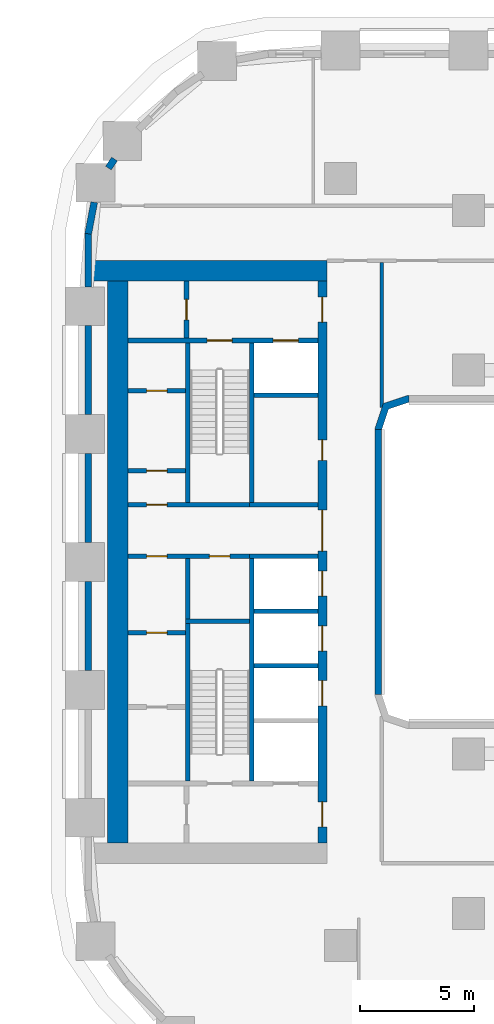
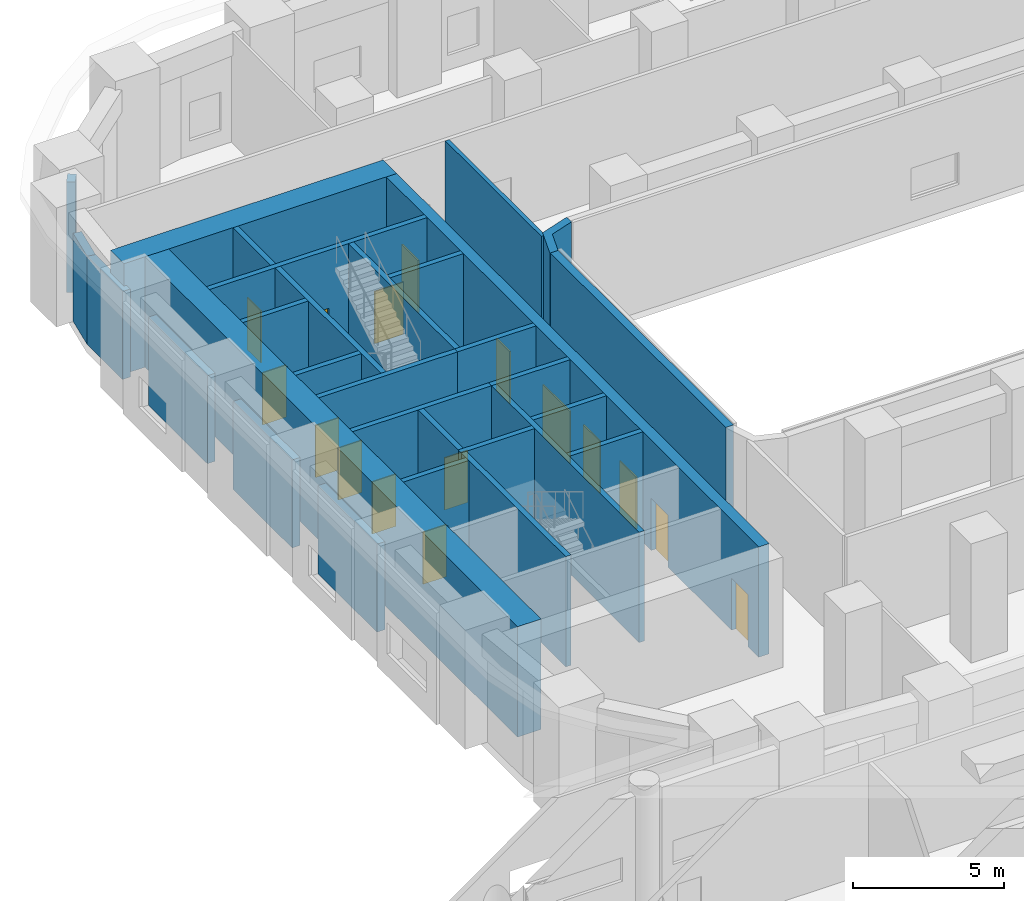
# One storey, part 5 of 13: 30 walls, 16 doors, 16 openings.
"""IFC4 building model written with IfcOpenShell, lengths in metres."""

from ifc_helpers import new_model, si_unit, direction, frame, frame_2d, origin, place, context, subcontext, project, spatial, polyline, rectangle, outline, extrude, material, layer, layer_set, type_object, element, fill, save


model = new_model("IFC4")

# Units and contexts
model_context = context("Model", 3, precision=1e-05, world=origin(), true_north=direction((0.0, 1.0)))
body_context = subcontext(model_context, "Body", "Model", "MODEL_VIEW")
ifc_project = project(units=[si_unit("LENGTHUNIT", "METRE"), si_unit("AREAUNIT", "SQUARE_METRE"), si_unit("VOLUMEUNIT", "CUBIC_METRE"), si_unit("PLANEANGLEUNIT", "RADIAN"), si_unit("MASSUNIT", "GRAM", prefix="KILO")], contexts=[model_context])

# Site, building, storey
site_placement = place(None, origin())
site = spatial("IfcSite", under=ifc_project, at=site_placement, CompositionType="ELEMENT")
building_placement = place(site_placement, origin())
building = spatial("IfcBuilding", under=site, at=building_placement, Name="Kiln Ring Residences", CompositionType="ELEMENT")
storey_placement = place(building_placement, frame((0.0, 0.0, 25.699951171875)))
storey = spatial("IfcBuildingStorey", under=building, at=storey_placement, Name="L05", CompositionType="ELEMENT", Elevation=25.699951171875)

# Wall
ifc_material_1 = material(Name="Gypsum board on steel studs", Category="steel")
ifc_layer_1 = layer(ifc_material_1, 0.199951171875)
ifc_layer_set_1 = layer_set([ifc_layer_1], Name="CORE-PARTITION-200")
wall_type_1 = type_object("IfcWallType", Name="CORE-PARTITION-200", PredefinedType="PARTITIONING", material=ifc_layer_set_1)
wall_1_placement = place(storey_placement, frame((-23.5, -2.5, 0.0), z_axis=(0.0, 0.0, 1.0), x_axis=(0.0, 1.0, 0.0)))
element("IfcWall", 1, at=wall_1_placement, inside=storey, type_object=wall_type_1, Name="Core partition west L05 1", PredefinedType="PARTITIONING", context=body_context, shape_type="SweptSolid", body=[
    extrude(rectangle(XDim=2.64990234375, YDim=0.199951171875, at=frame_2d((1.324951171875, 0.0))), origin(), (0.0, 0.0, 1.0), 4.449951171875),
])

# Wall, openings, doors
wall_2_placement = place(storey_placement, frame((-20.800048828125, 0.25, 0.0), z_axis=(0.0, 0.0, 1.0), x_axis=(-1.0, 0.0, 0.0)))
wall_2 = element("IfcWall", 2, at=wall_2_placement, inside=storey, type_object=wall_type_1, Name="Core partition west L05 2", PredefinedType="PARTITIONING", context=body_context, shape_type="SweptSolid", body=[
    extrude(rectangle(XDim=5.300048828125, YDim=0.199951171875, at=frame_2d((2.64990234375, 0.0))), origin(), (0.0, 0.0, 1.0), 4.449951171875),
])
opening_1_placement = place(wall_2_placement, frame((0.85009765625, 0.0, 0.0)))
opening_1 = element("IfcOpeningElement", 3, at=opening_1_placement, cuts=wall_2, Name="Opening L05-CW14", PredefinedType="OPENING", context=body_context, shape_type="SweptSolid", body=[
    extrude(rectangle(XDim=0.89990234375, YDim=2.10009765625, at=frame_2d((0.449951171875, 1.050048828125))), frame((0.0, 0.10986328125, 0.0), z_axis=(0.0, -1.0, 0.0), x_axis=(1.0, 0.0, 0.0)), (0.0, 0.0, 1.0), 0.219970703125),
])
opening_2_placement = place(wall_2_placement, frame((3.60009765625, 0.0, 0.0)))
opening_2 = element("IfcOpeningElement", 4, at=opening_2_placement, cuts=wall_2, Name="Opening L05-CW17", PredefinedType="OPENING", context=body_context, shape_type="SweptSolid", body=[
    extrude(rectangle(XDim=0.89990234375, YDim=2.10009765625, at=frame_2d((0.449951171875, 1.050048828125))), frame((0.0, 0.10986328125, 0.0), z_axis=(0.0, -1.0, 0.0), x_axis=(1.0, 0.0, 0.0)), (0.0, 0.0, 1.0), 0.219970703125),
])
ifc_material_2 = material(Name="Steel door leaf", Category="steel")
door_type_1 = type_object("IfcDoorType", Name="CORE-DOOR-ROOM", OperationType="SINGLE_SWING_LEFT", PredefinedType="DOOR", material=ifc_material_2)
door_1_placement = place(opening_1_placement, origin())
door_1 = element("IfcDoor", 5, at=door_1_placement, inside=storey, type_object=door_type_1, Name="Electrical riser room L05-CW14", OperationType="SINGLE_SWING_RIGHT", OverallHeight=2.10009765625, OverallWidth=0.89990234375, PredefinedType="DOOR", context=body_context, shape_type="SweptSolid", body=[
    extrude(rectangle(XDim=0.89990234375, YDim=2.10009765625, at=frame_2d((0.449951171875, 1.050048828125))), frame((0.0, 0.02490234375, 0.0), z_axis=(0.0, -1.0, 0.0), x_axis=(1.0, 0.0, 0.0)), (0.0, 0.0, 1.0), 0.050048828125),
])
fill(opening_1, door_1)
door_2_placement = place(opening_2_placement, origin())
door_2 = element("IfcDoor", 6, at=door_2_placement, inside=storey, type_object=door_type_1, Name="Plant room L05-CW17", OperationType="SINGLE_SWING_LEFT", OverallHeight=2.10009765625, OverallWidth=0.89990234375, PredefinedType="DOOR", context=body_context, shape_type="SweptSolid", body=[
    extrude(rectangle(XDim=0.89990234375, YDim=2.10009765625, at=frame_2d((0.449951171875, 1.050048828125))), frame((0.0, 0.02490234375, 0.0), z_axis=(0.0, -1.0, 0.0), x_axis=(1.0, 0.0, 0.0)), (0.0, 0.0, 1.0), 0.050048828125),
])
fill(opening_2, door_2)

# Wall, opening, door
wall_3_placement = place(storey_placement, frame((-23.550048828125, 9.800048828125, 0.0), z_axis=(0.0, 0.0, 1.0), x_axis=(0.0, 1.0, 0.0)))
wall_3 = element("IfcWall", 7, at=wall_3_placement, inside=storey, type_object=wall_type_1, Name="Core partition west L05 3", PredefinedType="PARTITIONING", context=body_context, shape_type="SweptSolid", body=[
    extrude(rectangle(XDim=2.5, YDim=0.199951171875, at=frame_2d((1.25, 0.0))), origin(), (0.0, 0.0, 1.0), 4.449951171875),
])
opening_3_placement = place(wall_3_placement, frame((0.800048828125, 0.0, 0.0)))
opening_3 = element("IfcOpeningElement", 8, at=opening_3_placement, cuts=wall_3, Name="Opening L05-CW09", PredefinedType="OPENING", context=body_context, shape_type="SweptSolid", body=[
    extrude(rectangle(XDim=0.89990234375, YDim=2.10009765625, at=frame_2d((0.449951171875, 1.050048828125))), frame((0.0, 0.10986328125, 0.0), z_axis=(0.0, -1.0, 0.0), x_axis=(1.0, 0.0, 0.0)), (0.0, 0.0, 1.0), 0.219970703125),
])
door_3_placement = place(opening_3_placement, origin())
door_3 = element("IfcDoor", 9, at=door_3_placement, inside=storey, type_object=door_type_1, Name="Fire riser room L05-CW09", OperationType="SINGLE_SWING_LEFT", OverallHeight=2.10009765625, OverallWidth=0.89990234375, PredefinedType="DOOR", context=body_context, shape_type="SweptSolid", body=[
    extrude(rectangle(XDim=0.89990234375, YDim=2.10009765625, at=frame_2d((0.449951171875, 1.050048828125))), frame((0.0, 0.02490234375, 0.0), z_axis=(0.0, -1.0, 0.0), x_axis=(1.0, 0.0, 0.0)), (0.0, 0.0, 1.0), 0.050048828125),
])
fill(opening_3, door_3)

wall_4_placement = place(storey_placement, frame((-23.60009765625, -3.10009765625, 0.0), z_axis=(0.0, 0.0, 1.0), x_axis=(-1.0, 0.0, 0.0)))
wall_4 = element("IfcWall", 10, at=wall_4_placement, inside=storey, type_object=wall_type_1, Name="Core partition west L05 6", PredefinedType="PARTITIONING", context=body_context, shape_type="SweptSolid", body=[
    extrude(rectangle(XDim=2.5, YDim=0.199951171875, at=frame_2d((1.25, 0.0))), origin(), (0.0, 0.0, 1.0), 4.449951171875),
])
opening_4_placement = place(wall_4_placement, frame((0.800048828125, 0.0, 0.0)))
opening_4 = element("IfcOpeningElement", 11, at=opening_4_placement, cuts=wall_4, Name="Opening L05-CW16", PredefinedType="OPENING", context=body_context, shape_type="SweptSolid", body=[
    extrude(rectangle(XDim=0.89990234375, YDim=2.10009765625, at=frame_2d((0.449951171875, 1.050048828125))), frame((0.0, 0.10986328125, 0.0), z_axis=(0.0, -1.0, 0.0), x_axis=(1.0, 0.0, 0.0)), (0.0, 0.0, 1.0), 0.219970703125),
])
door_4_placement = place(opening_4_placement, origin())
door_4 = element("IfcDoor", 12, at=door_4_placement, inside=storey, type_object=door_type_1, Name="Plant room L05-CW16", OperationType="SINGLE_SWING_LEFT", OverallHeight=2.10009765625, OverallWidth=0.89990234375, PredefinedType="DOOR", context=body_context, shape_type="SweptSolid", body=[
    extrude(rectangle(XDim=0.89990234375, YDim=2.10009765625, at=frame_2d((0.449951171875, 1.050048828125))), frame((0.0, 0.02490234375, 0.0), z_axis=(0.0, -1.0, 0.0), x_axis=(1.0, 0.0, 0.0)), (0.0, 0.0, 1.0), 0.050048828125),
])
fill(opening_4, door_4)

wall_5_placement = place(storey_placement, frame((-23.60009765625, 4.0, 0.0), z_axis=(0.0, 0.0, 1.0), x_axis=(-1.0, 0.0, 0.0)))
wall_5 = element("IfcWall", 13, at=wall_5_placement, inside=storey, type_object=wall_type_1, Name="Core partition west L05 7", PredefinedType="PARTITIONING", context=body_context, shape_type="SweptSolid", body=[
    extrude(rectangle(XDim=2.5, YDim=0.199951171875, at=frame_2d((1.25, 0.0))), origin(), (0.0, 0.0, 1.0), 4.449951171875),
])
opening_5_placement = place(wall_5_placement, frame((0.800048828125, 0.0, 0.0)))
opening_5 = element("IfcOpeningElement", 14, at=opening_5_placement, cuts=wall_5, Name="Opening L05-CW18", PredefinedType="OPENING", context=body_context, shape_type="SweptSolid", body=[
    extrude(rectangle(XDim=0.89990234375, YDim=2.10009765625, at=frame_2d((0.449951171875, 1.050048828125))), frame((0.0, 0.10986328125, 0.0), z_axis=(0.0, -1.0, 0.0), x_axis=(1.0, 0.0, 0.0)), (0.0, 0.0, 1.0), 0.219970703125),
])
door_5_placement = place(opening_5_placement, origin())
door_5 = element("IfcDoor", 15, at=door_5_placement, inside=storey, type_object=door_type_1, Name="Electrical plant room L05-CW18", OperationType="SINGLE_SWING_LEFT", OverallHeight=2.10009765625, OverallWidth=0.89990234375, PredefinedType="DOOR", context=body_context, shape_type="SweptSolid", body=[
    extrude(rectangle(XDim=0.89990234375, YDim=2.10009765625, at=frame_2d((0.449951171875, 1.050048828125))), frame((0.0, 0.02490234375, 0.0), z_axis=(0.0, -1.0, 0.0), x_axis=(1.0, 0.0, 0.0)), (0.0, 0.0, 1.0), 0.050048828125),
])
fill(opening_5, door_5)

wall_6_placement = place(storey_placement, frame((-23.60009765625, 7.5, 0.0), z_axis=(0.0, 0.0, 1.0), x_axis=(-1.0, 0.0, 0.0)))
wall_6 = element("IfcWall", 16, at=wall_6_placement, inside=storey, type_object=wall_type_1, Name="Core partition west L05 8", PredefinedType="PARTITIONING", context=body_context, shape_type="SweptSolid", body=[
    extrude(rectangle(XDim=2.5, YDim=0.199951171875, at=frame_2d((1.25, 0.0))), origin(), (0.0, 0.0, 1.0), 4.449951171875),
])
opening_6_placement = place(wall_6_placement, frame((0.800048828125, 0.0, 0.0)))
opening_6 = element("IfcOpeningElement", 17, at=opening_6_placement, cuts=wall_6, Name="Opening L05-CW19", PredefinedType="OPENING", context=body_context, shape_type="SweptSolid", body=[
    extrude(rectangle(XDim=0.89990234375, YDim=2.10009765625, at=frame_2d((0.449951171875, 1.050048828125))), frame((0.0, 0.10986328125, 0.0), z_axis=(0.0, -1.0, 0.0), x_axis=(1.0, 0.0, 0.0)), (0.0, 0.0, 1.0), 0.219970703125),
])
door_6_placement = place(opening_6_placement, origin())
door_6 = element("IfcDoor", 18, at=door_6_placement, inside=storey, type_object=door_type_1, Name="UPS room L05-CW19", OperationType="SINGLE_SWING_RIGHT", OverallHeight=2.10009765625, OverallWidth=0.89990234375, PredefinedType="DOOR", context=body_context, shape_type="SweptSolid", body=[
    extrude(rectangle(XDim=0.89990234375, YDim=2.10009765625, at=frame_2d((0.449951171875, 1.050048828125))), frame((0.0, 0.02490234375, 0.0), z_axis=(0.0, -1.0, 0.0), x_axis=(1.0, 0.0, 0.0)), (0.0, 0.0, 1.0), 0.050048828125),
])
fill(opening_6, door_6)

# Walls
ifc_material_3 = material(Name="Gypsum shaft wall system")
ifc_layer_2 = layer(ifc_material_3, 0.199951171875)
ifc_layer_set_2 = layer_set([ifc_layer_2], Name="CORE-SHAFT-WALL-200")
wall_type_2 = type_object("IfcWallType", Name="CORE-SHAFT-WALL-200", PredefinedType="PARTITIONING", material=ifc_layer_set_2)
for number, where, z_axis, x_axis, name in (
    (19, (-17.800048828125, -4.550048828125, 0.0), (0.0, 0.0, 1.0), (-1.0, 0.0, 0.0), "Core partition west L05 10"),
    (20, (-17.800048828125, -2.14990234375, 0.0), (0.0, 0.0, 1.0), (-1.0, 0.0, 0.0), "Core partition west L05 11"),
):
    element("IfcWall", number, at=place(storey_placement, frame(where, z_axis=z_axis, x_axis=x_axis)), inside=storey, type_object=wall_type_2, Name=name, PredefinedType="PARTITIONING", context=body_context, shape_type="SweptSolid", body=[
        extrude(rectangle(XDim=2.800048828125, YDim=0.199951171875, at=frame_2d((1.39990234375, 0.0))), origin(), (0.0, 0.0, 1.0), 4.449951171875),
    ])
for number, where, z_axis, x_axis, name in (
    (21, (-17.800048828125, 0.25, 0.0), (0.0, 0.0, 1.0), (-1.0, 0.0, 0.0), "Core partition west L05 12"),
    (22, (-17.800048828125, 2.5, 0.0), (0.0, 0.0, 1.0), (-1.0, 0.0, 0.0), "Core partition west L05 13"),
):
    element("IfcWall", number, at=place(storey_placement, frame(where, z_axis=z_axis, x_axis=x_axis)), inside=storey, type_object=wall_type_2, Name=name, PredefinedType="PARTITIONING", context=body_context, shape_type="SweptSolid", body=[
        extrude(rectangle(XDim=3.0, YDim=0.199951171875, at=frame_2d((1.5, 0.0))), origin(), (0.0, 0.0, 1.0), 4.449951171875),
    ])
wall_7_placement = place(storey_placement, frame((-17.800048828125, 7.300048828125, 0.0), z_axis=(0.0, 0.0, 1.0), x_axis=(-1.0, 0.0, 0.0)))
element("IfcWall", 23, at=wall_7_placement, inside=storey, type_object=wall_type_2, Name="Core partition west L05 14", PredefinedType="PARTITIONING", context=body_context, shape_type="SweptSolid", body=[
    extrude(rectangle(XDim=2.800048828125, YDim=0.199951171875, at=frame_2d((1.39990234375, 0.0))), origin(), (0.0, 0.0, 1.0), 4.449951171875),
])
ifc_material_4 = material(Name="Concrete C40/50", Category="concrete")
ifc_layer_3 = layer(ifc_material_4, 0.199951171875)
ifc_layer_set_3 = layer_set([ifc_layer_3], Name="CORE-WALL-RC200")
wall_type_3 = type_object("IfcWallType", Name="CORE-WALL-RC200", PredefinedType="SHEAR", material=ifc_layer_set_3)
wall_8_placement = place(storey_placement, frame((-20.699951171875, 2.60009765625, 0.0), z_axis=(0.0, 0.0, 1.0), x_axis=(0.0, 1.0, 0.0)))
element("IfcWall", 24, at=wall_8_placement, inside=storey, type_object=wall_type_3, Name="Core wall west L05 1", PredefinedType="SHEAR", context=body_context, shape_type="SweptSolid", body=[
    extrude(rectangle(XDim=7.0, YDim=0.199951171875, at=frame_2d((3.5, 0.0))), origin(), (0.0, 0.0, 1.0), 4.449951171875),
])
wall_9_placement = place(storey_placement, frame((-20.699951171875, -9.60009765625, 0.0), z_axis=(0.0, 0.0, 1.0), x_axis=(0.0, 1.0, 0.0)))
element("IfcWall", 25, at=wall_9_placement, inside=storey, type_object=wall_type_3, Name="Core wall west L05 2", PredefinedType="SHEAR", context=body_context, shape_type="SweptSolid", body=[
    extrude(rectangle(XDim=9.75, YDim=0.199951171875, at=frame_2d((4.875, 0.0))), origin(), (0.0, 0.0, 1.0), 4.449951171875),
])

# Wall, opening, door
wall_10_placement = place(storey_placement, frame((-20.800048828125, 2.5, 0.0), z_axis=(0.0, 0.0, 1.0), x_axis=(-1.0, 0.0, 0.0)))
wall_10 = element("IfcWall", 26, at=wall_10_placement, inside=storey, type_object=wall_type_3, Name="Core wall west L05 3", PredefinedType="SHEAR", context=body_context, shape_type="SweptSolid", body=[
    extrude(rectangle(XDim=5.300048828125, YDim=0.199951171875, at=frame_2d((2.64990234375, 0.0))), origin(), (0.0, 0.0, 1.0), 4.449951171875),
])
opening_7_placement = place(wall_10_placement, frame((3.60009765625, 0.0, 0.0)))
opening_7 = element("IfcOpeningElement", 27, at=opening_7_placement, cuts=wall_10, Name="Opening L05-CW20", PredefinedType="OPENING", context=body_context, shape_type="SweptSolid", body=[
    extrude(rectangle(XDim=0.89990234375, YDim=2.10009765625, at=frame_2d((0.449951171875, 1.050048828125))), frame((0.0, 0.10986328125, 0.0), z_axis=(0.0, -1.0, 0.0), x_axis=(1.0, 0.0, 0.0)), (0.0, 0.0, 1.0), 0.219970703125),
])
door_7_placement = place(opening_7_placement, origin())
door_7 = element("IfcDoor", 28, at=door_7_placement, inside=storey, type_object=door_type_1, Name="Comms room L05-CW20", OperationType="SINGLE_SWING_LEFT", OverallHeight=2.10009765625, OverallWidth=0.89990234375, PredefinedType="DOOR", context=body_context, shape_type="SweptSolid", body=[
    extrude(rectangle(XDim=0.89990234375, YDim=2.10009765625, at=frame_2d((0.449951171875, 1.050048828125))), frame((0.0, 0.02490234375, 0.0), z_axis=(0.0, -1.0, 0.0), x_axis=(1.0, 0.0, 0.0)), (0.0, 0.0, 1.0), 0.050048828125),
])
fill(opening_7, door_7)

# Wall, openings, doors
wall_11_placement = place(storey_placement, frame((-17.800048828125, 9.699951171875, 0.0), z_axis=(0.0, 0.0, 1.0), x_axis=(-1.0, 0.0, 0.0)))
wall_11 = element("IfcWall", 29, at=wall_11_placement, inside=storey, type_object=wall_type_3, Name="Core wall west L05 9", PredefinedType="SHEAR", context=body_context, shape_type="SweptSolid", body=[
    extrude(rectangle(XDim=8.300048828125, YDim=0.199951171875, at=frame_2d((4.14990234375, 0.0))), origin(), (0.0, 0.0, 1.0), 4.449951171875),
])
opening_8_placement = place(wall_11_placement, frame((0.85009765625, 0.0, 0.0)))
opening_8 = element("IfcOpeningElement", 30, at=opening_8_placement, cuts=wall_11, Name="Opening L05-CW06", PredefinedType="OPENING", context=body_context, shape_type="SweptSolid", body=[
    extrude(rectangle(XDim=1.10009765625, YDim=2.10009765625, at=frame_2d((0.550048828125, 1.050048828125))), frame((0.0, 0.10986328125, 0.0), z_axis=(0.0, -1.0, 0.0), x_axis=(1.0, 0.0, 0.0)), (0.0, 0.0, 1.0), 0.219970703125),
])
opening_9_placement = place(wall_11_placement, frame((3.75, 0.0, 0.0)))
opening_9 = element("IfcOpeningElement", 31, at=opening_9_placement, cuts=wall_11, Name="Opening L05-CW11", PredefinedType="OPENING", context=body_context, shape_type="SweptSolid", body=[
    extrude(rectangle(XDim=1.10009765625, YDim=2.10009765625, at=frame_2d((0.550048828125, 1.050048828125))), frame((0.0, 0.10986328125, 0.0), z_axis=(0.0, -1.0, 0.0), x_axis=(1.0, 0.0, 0.0)), (0.0, 0.0, 1.0), 0.219970703125),
])
ifc_material_5 = material(Name="Steel door leaf", Category="steel")
door_type_2 = type_object("IfcDoorType", Name="CORE-DOOR-LD", OperationType="DOUBLE_DOOR_SLIDING", PredefinedType="DOOR", material=ifc_material_5)
door_8_placement = place(opening_8_placement, origin())
door_8 = element("IfcDoor", 32, at=door_8_placement, inside=storey, type_object=door_type_2, Name="LD W-FF L05-CW06", OperationType="DOUBLE_DOOR_SLIDING", OverallHeight=2.10009765625, OverallWidth=1.10009765625, PredefinedType="DOOR", context=body_context, shape_type="SweptSolid", body=[
    extrude(rectangle(XDim=1.10009765625, YDim=2.10009765625, at=frame_2d((0.550048828125, 1.050048828125))), frame((0.0, 0.02490234375, 0.0), z_axis=(0.0, -1.0, 0.0), x_axis=(1.0, 0.0, 0.0)), (0.0, 0.0, 1.0), 0.050048828125),
])
fill(opening_8, door_8)
ifc_material_6 = material(Name="Steel door leaf", Category="steel")
door_type_3 = type_object("IfcDoorType", Name="CORE-DOOR-STAIR", OperationType="SINGLE_SWING_LEFT", PredefinedType="DOOR", material=ifc_material_6)
door_9_placement = place(opening_9_placement, origin())
door_9 = element("IfcDoor", 33, at=door_9_placement, inside=storey, type_object=door_type_3, Name="Stair W-STN L05-CW11", OperationType="SINGLE_SWING_LEFT", OverallHeight=2.10009765625, OverallWidth=1.10009765625, PredefinedType="DOOR", context=body_context, shape_type="SweptSolid", body=[
    extrude(rectangle(XDim=1.10009765625, YDim=2.10009765625, at=frame_2d((0.550048828125, 1.050048828125))), frame((0.0, 0.02490234375, 0.0), z_axis=(0.0, -1.0, 0.0), x_axis=(1.0, 0.0, 0.0)), (0.0, 0.0, 1.0), 0.050048828125),
])
fill(opening_9, door_9)

# Walls
wall_12_placement = place(storey_placement, frame((-23.5, 2.60009765625, 0.0), z_axis=(0.0, 0.0, 1.0), x_axis=(0.0, 1.0, 0.0)))
element("IfcWall", 34, at=wall_12_placement, inside=storey, type_object=wall_type_3, Name="Core wall west L05 10", PredefinedType="SHEAR", context=body_context, shape_type="SweptSolid", body=[
    extrude(rectangle(XDim=7.0, YDim=0.199951171875, at=frame_2d((3.5, 0.0))), origin(), (0.0, 0.0, 1.0), 4.449951171875),
])
wall_13_placement = place(storey_placement, frame((-23.5, -9.60009765625, 0.0), z_axis=(0.0, 0.0, 1.0), x_axis=(0.0, 1.0, 0.0)))
element("IfcWall", 35, at=wall_13_placement, inside=storey, type_object=wall_type_3, Name="Core wall west L05 11", PredefinedType="SHEAR", context=body_context, shape_type="SweptSolid", body=[
    extrude(rectangle(XDim=6.900146484375, YDim=0.199951171875, at=frame_2d((3.4501953125, 0.0))), origin(), (0.0, 0.0, 1.0), 4.449951171875),
])
wall_14_placement = place(storey_placement, frame((-20.800048828125, -2.60009765625, 0.0), z_axis=(0.0, 0.0, 1.0), x_axis=(-1.0, 0.0, 0.0)))
element("IfcWall", 36, at=wall_14_placement, inside=storey, type_object=wall_type_3, Name="Core wall west L05 12", PredefinedType="SHEAR", context=body_context, shape_type="SweptSolid", body=[
    extrude(rectangle(XDim=2.800048828125, YDim=0.199951171875, at=frame_2d((1.39990234375, 0.0))), origin(), (0.0, 0.0, 1.0), 4.449951171875),
])

# Wall, openings, doors
ifc_material_7 = material(Name="Concrete C60/75", Category="concrete")
ifc_layer_4 = layer(ifc_material_7, 0.39990234375)
ifc_layer_set_4 = layer_set([ifc_layer_4], Name="CORE-WALL-RC400")
wall_type_4 = type_object("IfcWallType", Name="CORE-WALL-RC400", PredefinedType="SHEAR", material=ifc_layer_set_4)
wall_15_placement = place(storey_placement, frame((-17.60009765625, -12.300048828125, 0.0), z_axis=(0.0, 0.0, 1.0), x_axis=(0.0, 1.0, 0.0)))
wall_15 = element("IfcWall", 37, at=wall_15_placement, inside=storey, type_object=wall_type_4, Name="Core wall west L05 6", PredefinedType="SHEAR", context=body_context, shape_type="SweptSolid", body=[
    extrude(rectangle(XDim=24.60009765625, YDim=0.39990234375, at=frame_2d((12.300048828125, 0.0))), origin(), (0.0, 0.0, 1.0), 4.449951171875),
])
opening_10_placement = place(wall_15_placement, frame((6.0, 0.0, 0.0)))
opening_10 = element("IfcOpeningElement", 38, at=opening_10_placement, cuts=wall_15, Name="Opening L05-CW02", PredefinedType="OPENING", context=body_context, shape_type="SweptSolid", body=[
    extrude(rectangle(XDim=1.10009765625, YDim=2.10009765625, at=frame_2d((0.550048828125, 1.050048828125))), frame((0.0, 0.2099609375, 0.0), z_axis=(0.0, -1.0, 0.0), x_axis=(1.0, 0.0, 0.0)), (0.0, 0.0, 1.0), 0.419921875),
])
opening_11_placement = place(wall_15_placement, frame((8.39990234375, 0.0, 0.0)))
opening_11 = element("IfcOpeningElement", 39, at=opening_11_placement, cuts=wall_15, Name="Opening L05-CW03", PredefinedType="OPENING", context=body_context, shape_type="SweptSolid", body=[
    extrude(rectangle(XDim=1.10009765625, YDim=2.10009765625, at=frame_2d((0.550048828125, 1.050048828125))), frame((0.0, 0.2099609375, 0.0), z_axis=(0.0, -1.0, 0.0), x_axis=(1.0, 0.0, 0.0)), (0.0, 0.0, 1.0), 0.419921875),
])
opening_12_placement = place(wall_15_placement, frame((10.800048828125, 0.0, 0.0)))
opening_12 = element("IfcOpeningElement", 40, at=opening_12_placement, cuts=wall_15, Name="Opening L05-CW04", PredefinedType="OPENING", context=body_context, shape_type="SweptSolid", body=[
    extrude(rectangle(XDim=1.10009765625, YDim=2.10009765625, at=frame_2d((0.550048828125, 1.050048828125))), frame((0.0, 0.2099609375, 0.0), z_axis=(0.0, -1.0, 0.0), x_axis=(1.0, 0.0, 0.0)), (0.0, 0.0, 1.0), 0.419921875),
])
opening_13_placement = place(wall_15_placement, frame((16.75, 0.0, 0.0)))
opening_13 = element("IfcOpeningElement", 41, at=opening_13_placement, cuts=wall_15, Name="Opening L05-CW05", PredefinedType="OPENING", context=body_context, shape_type="SweptSolid", body=[
    extrude(rectangle(XDim=0.89990234375, YDim=2.10009765625, at=frame_2d((0.449951171875, 1.050048828125))), frame((0.0, 0.2099609375, 0.0), z_axis=(0.0, -1.0, 0.0), x_axis=(1.0, 0.0, 0.0)), (0.0, 0.0, 1.0), 0.419921875),
])
opening_14_placement = place(wall_15_placement, frame((22.800048828125, 0.0, 0.0)))
opening_14 = element("IfcOpeningElement", 42, at=opening_14_placement, cuts=wall_15, Name="Opening L05-CW07", PredefinedType="OPENING", context=body_context, shape_type="SweptSolid", body=[
    extrude(rectangle(XDim=1.10009765625, YDim=2.10009765625, at=frame_2d((0.550048828125, 1.050048828125))), frame((0.0, 0.2099609375, 0.0), z_axis=(0.0, -1.0, 0.0), x_axis=(1.0, 0.0, 0.0)), (0.0, 0.0, 1.0), 0.419921875),
])
opening_15_placement = place(wall_15_placement, frame((0.699951171875, 0.0, 0.0)))
opening_15 = element("IfcOpeningElement", 43, at=opening_15_placement, cuts=wall_15, Name="Opening L05-CW08", PredefinedType="OPENING", context=body_context, shape_type="SweptSolid", body=[
    extrude(rectangle(XDim=1.10009765625, YDim=2.10009765625, at=frame_2d((0.550048828125, 1.050048828125))), frame((0.0, 0.2099609375, 0.0), z_axis=(0.0, -1.0, 0.0), x_axis=(1.0, 0.0, 0.0)), (0.0, 0.0, 1.0), 0.419921875),
])
opening_16_placement = place(wall_15_placement, frame((12.77490234375, 0.0, 0.0)))
opening_16 = element("IfcOpeningElement", 44, at=opening_16_placement, cuts=wall_15, Name="Opening L05-CW13", PredefinedType="OPENING", context=body_context, shape_type="SweptSolid", body=[
    extrude(rectangle(XDim=1.800048828125, YDim=2.10009765625, at=frame_2d((0.89990234375, 1.050048828125))), frame((0.0, 0.2099609375, 0.0), z_axis=(0.0, -1.0, 0.0), x_axis=(1.0, 0.0, 0.0)), (0.0, 0.0, 1.0), 0.419921875),
])
door_10_placement = place(opening_10_placement, origin())
door_10 = element("IfcDoor", 45, at=door_10_placement, inside=storey, type_object=door_type_2, Name="LD W-L1 L05-CW02", OperationType="DOUBLE_DOOR_SLIDING", OverallHeight=2.10009765625, OverallWidth=1.10009765625, PredefinedType="DOOR", context=body_context, shape_type="SweptSolid", body=[
    extrude(rectangle(XDim=1.10009765625, YDim=2.10009765625, at=frame_2d((0.550048828125, 1.050048828125))), frame((0.0, 0.02490234375, 0.0), z_axis=(0.0, -1.0, 0.0), x_axis=(1.0, 0.0, 0.0)), (0.0, 0.0, 1.0), 0.050048828125),
])
fill(opening_10, door_10)
door_11_placement = place(opening_11_placement, origin())
door_11 = element("IfcDoor", 46, at=door_11_placement, inside=storey, type_object=door_type_2, Name="LD W-L2 L05-CW03", OperationType="DOUBLE_DOOR_SLIDING", OverallHeight=2.10009765625, OverallWidth=1.10009765625, PredefinedType="DOOR", context=body_context, shape_type="SweptSolid", body=[
    extrude(rectangle(XDim=1.10009765625, YDim=2.10009765625, at=frame_2d((0.550048828125, 1.050048828125))), frame((0.0, 0.02490234375, 0.0), z_axis=(0.0, -1.0, 0.0), x_axis=(1.0, 0.0, 0.0)), (0.0, 0.0, 1.0), 0.050048828125),
])
fill(opening_11, door_11)
door_12_placement = place(opening_12_placement, origin())
door_12 = element("IfcDoor", 47, at=door_12_placement, inside=storey, type_object=door_type_2, Name="LD W-L3 L05-CW04", OperationType="DOUBLE_DOOR_SLIDING", OverallHeight=2.10009765625, OverallWidth=1.10009765625, PredefinedType="DOOR", context=body_context, shape_type="SweptSolid", body=[
    extrude(rectangle(XDim=1.10009765625, YDim=2.10009765625, at=frame_2d((0.550048828125, 1.050048828125))), frame((0.0, 0.02490234375, 0.0), z_axis=(0.0, -1.0, 0.0), x_axis=(1.0, 0.0, 0.0)), (0.0, 0.0, 1.0), 0.050048828125),
])
fill(opening_12, door_12)
ifc_material_8 = material(Name="Steel door leaf", Category="steel")
door_type_4 = type_object("IfcDoorType", Name="CORE-DOOR-LOBBY", OperationType="SINGLE_SWING_LEFT", PredefinedType="DOOR", material=ifc_material_8)
door_13_placement = place(opening_14_placement, origin())
door_13 = element("IfcDoor", 48, at=door_13_placement, inside=storey, type_object=door_type_4, Name="FFL L05-CW07", OperationType="SINGLE_SWING_RIGHT", OverallHeight=2.10009765625, OverallWidth=1.10009765625, PredefinedType="DOOR", context=body_context, shape_type="SweptSolid", body=[
    extrude(rectangle(XDim=1.10009765625, YDim=2.10009765625, at=frame_2d((0.550048828125, 1.050048828125))), frame((0.0, 0.02490234375, 0.0), z_axis=(0.0, -1.0, 0.0), x_axis=(1.0, 0.0, 0.0)), (0.0, 0.0, 1.0), 0.050048828125),
])
fill(opening_14, door_13)
door_14_placement = place(opening_15_placement, origin())
door_14 = element("IfcDoor", 49, at=door_14_placement, inside=storey, type_object=door_type_4, Name="SVL L05-CW08", OperationType="SINGLE_SWING_LEFT", OverallHeight=2.10009765625, OverallWidth=1.10009765625, PredefinedType="DOOR", context=body_context, shape_type="SweptSolid", body=[
    extrude(rectangle(XDim=1.10009765625, YDim=2.10009765625, at=frame_2d((0.550048828125, 1.050048828125))), frame((0.0, 0.02490234375, 0.0), z_axis=(0.0, -1.0, 0.0), x_axis=(1.0, 0.0, 0.0)), (0.0, 0.0, 1.0), 0.050048828125),
])
fill(opening_15, door_14)
ifc_material_9 = material(Name="Steel door leaf", Category="steel")
door_type_5 = type_object("IfcDoorType", Name="CORE-DOOR-PASS", OperationType="DOUBLE_DOOR_SINGLE_SWING", PredefinedType="DOOR", material=ifc_material_9)
door_15_placement = place(opening_16_placement, origin())
door_15 = element("IfcDoor", 50, at=door_15_placement, inside=storey, type_object=door_type_5, Name="Core passage L05-CW13", OperationType="DOUBLE_DOOR_SINGLE_SWING", OverallHeight=2.10009765625, OverallWidth=1.800048828125, PredefinedType="DOOR", context=body_context, shape_type="SweptSolid", body=[
    extrude(rectangle(XDim=1.800048828125, YDim=2.10009765625, at=frame_2d((0.89990234375, 1.050048828125))), frame((0.0, 0.02490234375, 0.0), z_axis=(0.0, -1.0, 0.0), x_axis=(1.0, 0.0, 0.0)), (0.0, 0.0, 1.0), 0.050048828125),
])
fill(opening_16, door_15)
door_16_placement = place(opening_13_placement, origin())
door_16 = element("IfcDoor", 51, at=door_16_placement, inside=storey, type_object=door_type_1, Name="Housekeeping store L05-CW05", OperationType="SINGLE_SWING_LEFT", OverallHeight=2.10009765625, OverallWidth=0.89990234375, PredefinedType="DOOR", context=body_context, shape_type="SweptSolid", body=[
    extrude(rectangle(XDim=0.89990234375, YDim=2.10009765625, at=frame_2d((0.449951171875, 1.050048828125))), frame((0.0, 0.02490234375, 0.0), z_axis=(0.0, -1.0, 0.0), x_axis=(1.0, 0.0, 0.0)), (0.0, 0.0, 1.0), 0.050048828125),
])
fill(opening_13, door_16)

# Walls
ifc_material_10 = material(Name="Concrete C60/75", Category="concrete")
ifc_layer_5 = layer(ifc_material_10, 0.89990234375)
ifc_layer_set_5 = layer_set([ifc_layer_5], Name="CORE-WALL-RC900")
wall_type_5 = type_object("IfcWallType", Name="CORE-WALL-RC900", PredefinedType="SHEAR", material=ifc_layer_set_5)
wall_16_placement = place(storey_placement, frame((-17.39990234375, 12.75, 0.0), z_axis=(0.0, 0.0, 1.0), x_axis=(-1.0, 0.0, 0.0)))
element("IfcWall", 52, at=wall_16_placement, inside=storey, type_object=wall_type_5, Name="Core wall west L05 4", PredefinedType="SHEAR", context=body_context, shape_type="SweptSolid", body=[
    extrude(rectangle(XDim=10.400146484375, YDim=0.89990234375, at=frame_2d((5.2001953125, 0.0))), origin(), (0.0, 0.0, 1.0), 4.449951171875),
])
wall_17_placement = place(storey_placement, frame((-26.550048828125, -12.300048828125, 0.0), z_axis=(0.0, 0.0, 1.0), x_axis=(0.0, 1.0, 0.0)))
element("IfcWall", 53, at=wall_17_placement, inside=storey, type_object=wall_type_5, Name="Core wall west L05 7", PredefinedType="SHEAR", context=body_context, shape_type="SweptSolid", body=[
    extrude(rectangle(XDim=24.60009765625, YDim=0.89990234375, at=frame_2d((12.300048828125, 0.0))), origin(), (0.0, 0.0, 1.0), 4.449951171875),
])
ifc_material_11 = material(Name="Brick masonry, dark clay brick", Category="masonry")
ifc_layer_6 = layer(ifc_material_11, 0.300048828125)
ifc_layer_set_6 = layer_set([ifc_layer_6], Name="EW-300 BRICK WALL")
wall_type_6 = type_object("IfcWallType", Name="EW-300 BRICK WALL", PredefinedType="SOLIDWALL", material=ifc_layer_set_6)
wall_18_placement = place(storey_placement, frame((-26.701171875, 17.644287109375, 0.0), z_axis=(0.0, 0.0, 1.0), x_axis=(-0.562001981492, -0.827135885329, 0.0)))
element("IfcWall", 54, at=wall_18_placement, inside=storey, type_object=wall_type_6, Name="Facade wall L05 34", PredefinedType="SOLIDWALL", context=body_context, shape_type="SweptSolid", body=[
    extrude(rectangle(XDim=0.47705078125, YDim=0.300048828125, at=frame_2d((0.238525390625, 0.0))), origin(), (0.0, 0.0, 1.0), 4.449951171875),
])
wall_19_placement = place(storey_placement, frame((-27.589111328125, 15.753173828125, 0.0), z_axis=(0.0, 0.0, 1.0), x_axis=(-0.187327504018, -0.982297514116, 0.0)))
element("IfcWall", 55, at=wall_19_placement, inside=storey, type_object=wall_type_6, Name="Facade wall L05 35", PredefinedType="SOLIDWALL", context=body_context, shape_type="SweptSolid", body=[
    extrude(rectangle(XDim=1.40625, YDim=0.300048828125, at=frame_2d((0.703125, 0.0))), origin(), (0.0, 0.0, 1.0), 3.550048828125),
])
wall_20_placement = place(storey_placement, frame((-27.85009765625, 14.39990234375, 0.0), z_axis=(0.0, 0.0, 1.0), x_axis=(0.0, -1.0, 0.0)))
element("IfcWall", 56, at=wall_20_placement, inside=storey, type_object=wall_type_6, Name="Facade wall L05 36", PredefinedType="SOLIDWALL", context=body_context, shape_type="SweptSolid", body=[
    extrude(rectangle(XDim=2.349853515625, YDim=0.300048828125, at=frame_2d((1.1748046875, 0.0))), origin(), (0.0, 0.0, 1.0), 3.550048828125),
])
wall_21_placement = place(storey_placement, frame((-27.85009765625, 10.35009765625, 0.0), z_axis=(0.0, 0.0, 1.0), x_axis=(0.0, -1.0, 0.0)))
element("IfcWall", 57, at=wall_21_placement, inside=storey, type_object=wall_type_6, Name="Facade wall L05 37", PredefinedType="SOLIDWALL", context=body_context, shape_type="SweptSolid", body=[
    extrude(rectangle(XDim=3.900146484375, YDim=0.300048828125, at=frame_2d((1.9501953125, 0.0))), origin(), (0.0, 0.0, 1.0), 3.550048828125),
])
for number, where, z_axis, x_axis, name in (
    (58, (-27.85009765625, 4.75, 0.0), (0.0, 0.0, 1.0), (0.0, -1.0, 0.0), "Facade wall L05 38"),
    (59, (-27.85009765625, -0.85009765625, 0.0), (0.0, 0.0, 1.0), (0.0, -1.0, 0.0), "Facade wall L05 39"),
):
    element("IfcWall", number, at=place(storey_placement, frame(where, z_axis=z_axis, x_axis=x_axis)), inside=storey, type_object=wall_type_6, Name=name, PredefinedType="SOLIDWALL", context=body_context, shape_type="SweptSolid", body=[
        extrude(rectangle(XDim=3.89990234375, YDim=0.300048828125, at=frame_2d((1.949951171875, 0.0))), origin(), (0.0, 0.0, 1.0), 3.550048828125),
    ])
wall_22_placement = place(storey_placement, frame((-15.14990234375, -5.800048828125, 0.0), z_axis=(0.0, 0.0, 1.0), x_axis=(0.0, 1.0, 0.0)))
element("IfcWall", 60, at=wall_22_placement, inside=storey, type_object=wall_type_6, Name="Facade wall L05 69", PredefinedType="SOLIDWALL", context=body_context, shape_type="SweptSolid", body=[
    extrude(rectangle(XDim=11.60009765625, YDim=0.300048828125, at=frame_2d((5.800048828125, 0.0))), origin(), (0.0, 0.0, 1.0), 4.449951171875),
])
wall_23_placement = place(storey_placement, origin())
element("IfcWall", 61, at=wall_23_placement, inside=storey, type_object=wall_type_6, Name="Corner wall L05 3", PredefinedType="SOLIDWALL", context=body_context, shape_type="SweptSolid", body=[
    extrude(outline(polyline([(-13.8486328125, 7.300048828125), (-14.937255859375, 6.937255859375), (-15.300048828125, 5.8486328125), (-15.300048828125, 5.800048828125), (-15.0, 5.800048828125), (-14.699951171875, 6.699951171875), (-13.800048828125, 7.0), (-13.800048828125, 7.300048828125), (-13.8486328125, 7.300048828125)])), origin(), (0.0, 0.0, 1.0), 4.449951171875),
])
ifc_material_12 = material(Name="Brick masonry partition", Category="masonry")
ifc_layer_7 = layer(ifc_material_12, 0.14990234375)
ifc_layer_set_7 = layer_set([ifc_layer_7], Name="PARTITION-150-ei60")
wall_type_7 = type_object("IfcWallType", Name="PARTITION-150-ei60", PredefinedType="PARTITIONING", material=ifc_layer_set_7)
wall_24_placement = place(storey_placement, frame((-15.0, 6.768798828125, 0.0), z_axis=(0.0, 0.0, 1.0), x_axis=(0.0, 1.0, 0.0)))
element("IfcWall", 62, at=wall_24_placement, inside=storey, type_object=wall_type_7, Name="Partition 015", PredefinedType="PARTITIONING", context=body_context, shape_type="SweptSolid", body=[
    extrude(rectangle(XDim=6.356201171875, YDim=0.14990234375, at=frame_2d((3.17822265625, 0.0))), origin(), (0.0, 0.0, 1.0), 4.449951171875),
])

save(model, "model.ifc")
